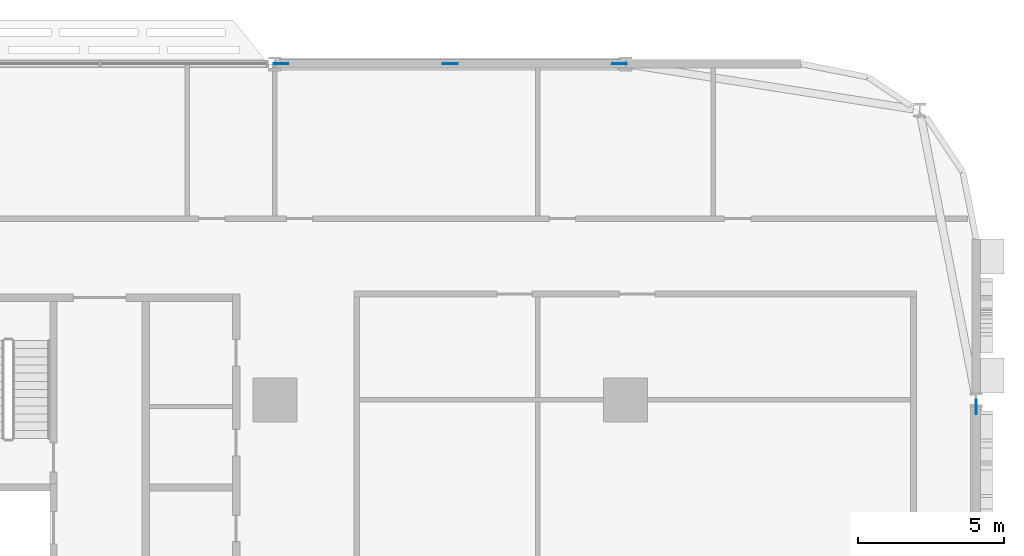
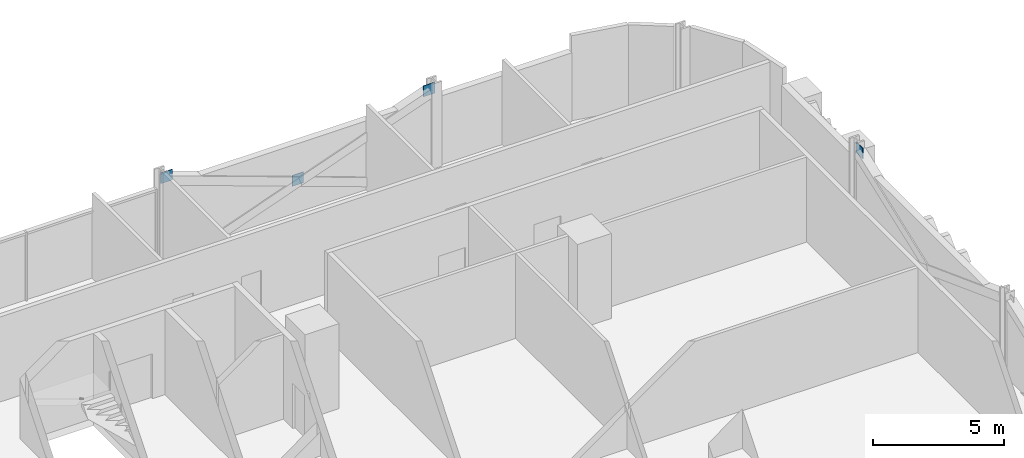
# One storey, part 23 of 29: 4 discrete accessories.
"""IFC4 building model written with IfcOpenShell, lengths in metres."""

from ifc_helpers import new_model, si_unit, direction, frame, origin, origin_2d, place, context, subcontext, project, spatial, rectangle, extrude, material, layer, layer_set, type_object, element, save


model = new_model("IFC4")

# Units and contexts
model_context = context("Model", 3, precision=1e-05, world=origin(), true_north=direction((0.0, 1.0)))
body_context = subcontext(model_context, "Body", "Model", "MODEL_VIEW")
ifc_project = project(units=[si_unit("LENGTHUNIT", "METRE"), si_unit("AREAUNIT", "SQUARE_METRE"), si_unit("VOLUMEUNIT", "CUBIC_METRE"), si_unit("PLANEANGLEUNIT", "RADIAN"), si_unit("MASSUNIT", "GRAM", prefix="KILO")], contexts=[model_context])

# Site, building, storey
site_placement = place(None, origin())
site = spatial("IfcSite", under=ifc_project, at=site_placement, CompositionType="ELEMENT")
building_placement = place(site_placement, origin())
building = spatial("IfcBuilding", under=site, at=building_placement, Name="Mahtab Terrace Research Tower", CompositionType="ELEMENT")
storey_placement = place(building_placement, frame((0.0, 0.0, 54.60009765625)))
storey = spatial("IfcBuildingStorey", under=building, at=storey_placement, Name="L12", CompositionType="ELEMENT", Elevation=54.60009765625)

# Discrete accessories
ifc_material = material(Name="Steel ASTM A992 Gr 50", Category="steel")
ifc_layer = layer(ifc_material, 0.030029296875)
ifc_layer_set = layer_set([ifc_layer], Name="Gusset plate 500x500x30")
discrete_accessory_type = type_object("IfcDiscreteAccessoryType", Name="Gusset plate 500x500x30", PredefinedType="USERDEFINED", material=ifc_layer_set)
for number, where, z_axis, x_axis, name in (
    (1, (30.212158203125, 23.0, 3.331298828125), (0.0, 0.0, 1.0), (1.0, 0.0, 0.0), "Gusset plate"),
    (2, (36.0, 23.0, 1.181396484375), (0.0, 0.0, 1.0), (1.0, 0.0, 0.0), "Gusset plate"),
    (3, (41.787841796875, 23.0, 3.331298828125), (0.0, 0.0, 1.0), (1.0, 0.0, 0.0), "Gusset plate"),
    (4, (54.0, 11.262451171875, 3.331298828125), (0.0, 0.0, 1.0), (0.0, 1.0, 0.0), "Gusset plate"),
):
    element("IfcDiscreteAccessory", number, at=place(storey_placement, frame(where, z_axis=z_axis, x_axis=x_axis)), inside=storey, type_object=discrete_accessory_type, Name=name, ObjectType="GUSSET PLATE", PredefinedType="USERDEFINED", context=body_context, shape_type="SweptSolid", body=[
        extrude(rectangle(XDim=0.5, YDim=0.030029296875, at=origin_2d()), origin(), (0.0, 0.0, 1.0), 0.5),
    ])

save(model, "model.ifc")
